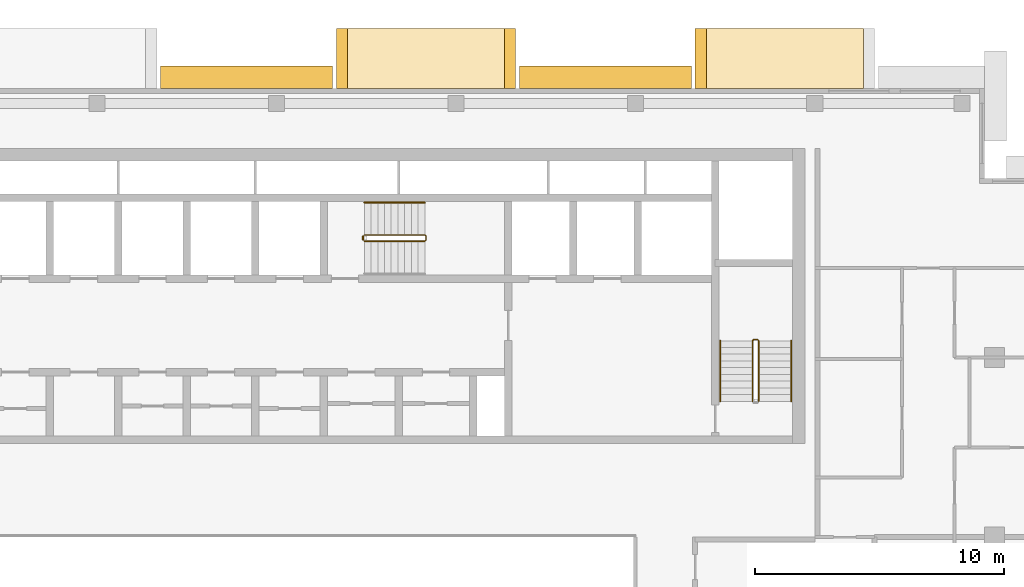
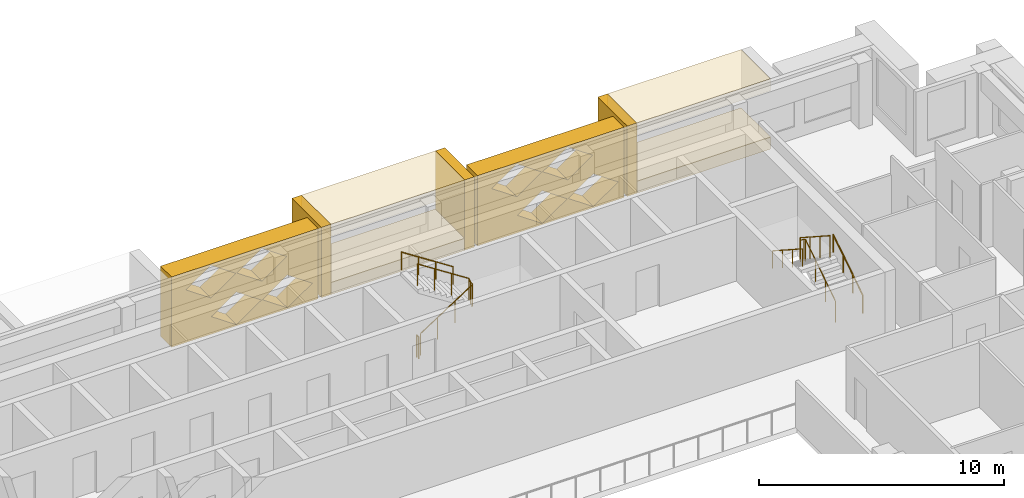
# One storey, part 18 of 19: 9 coverings, 6 railings.
"""IFC4 building model written with IfcOpenShell, lengths in metres."""

from ifc_helpers import new_model, si_unit, direction, frame, origin, origin_2d, place, context, subcontext, project, spatial, polyline, circle, outline, extrude, material, type_object, element, save


model = new_model("IFC4")

# Units and contexts
model_context = context("Model", 3, precision=1e-05, world=origin(), true_north=direction((0.0, 1.0)))
body_context = subcontext(model_context, "Body", "Model", "MODEL_VIEW")
ifc_project = project(units=[si_unit("LENGTHUNIT", "METRE"), si_unit("AREAUNIT", "SQUARE_METRE"), si_unit("VOLUMEUNIT", "CUBIC_METRE"), si_unit("PLANEANGLEUNIT", "RADIAN"), si_unit("MASSUNIT", "GRAM", prefix="KILO")], contexts=[model_context])

# Site, building, storey
site_placement = place(None, origin())
site = spatial("IfcSite", under=ifc_project, at=site_placement, CompositionType="ELEMENT")
building_placement = place(site_placement, origin())
building = spatial("IfcBuilding", under=site, at=building_placement, Name="Saffron Iwan Residences", CompositionType="ELEMENT")
storey_placement = place(building_placement, frame((0.0, 0.0, 239.5)))
storey = spatial("IfcBuildingStorey", under=building, at=storey_placement, Name="L64", CompositionType="ELEMENT", Elevation=239.5)

# Coverings
ifc_material_1 = material(Name="Precast concrete C40/50", Category="concrete")
covering_type_1 = type_object("IfcCoveringType", Name="OUTER SKIN LATTICE SCREEN", PredefinedType="CLADDING", material=ifc_material_1)
for number, where, z_axis, x_axis, name in (
    (1, (67.050048828125, 80.39990234375, -0.280029296875), (0.0, 1.0, 0.0), (-1.0, 0.0, 0.0), "OUTER SKIN lattice screen L64 F5.1"),
    (2, (52.64990234375, 80.39990234375, -0.280029296875), (0.0, 1.0, 0.0), (-1.0, 0.0, 0.0), "OUTER SKIN lattice screen L64 F5.2"),
):
    element("IfcCovering", number, at=place(storey_placement, frame(where, z_axis=z_axis, x_axis=x_axis)), inside=storey, type_object=covering_type_1, Name=name, PredefinedType="CLADDING", context=body_context, shape_type="SweptSolid", body=[
        extrude(outline(polyline([(0.0, 0.0), (6.89990234375, 0.0), (6.89990234375, 3.5), (0.0, 3.5), (0.0, 0.0)]), holes=[polyline([(0.27001953125, 0.875), (1.449951171875, 0.06005859375), (2.6298828125, 0.875), (1.449951171875, 1.68994140625), (0.27001953125, 0.875)]), polyline([(2.669921875, 0.875), (3.85009765625, 0.06005859375), (5.030029296875, 0.875), (3.85009765625, 1.68994140625), (2.669921875, 0.875)]), polyline([(1.469970703125, 2.625), (2.64990234375, 1.81005859375), (3.830078125, 2.625), (2.64990234375, 3.43994140625), (1.469970703125, 2.625)]), polyline([(3.8701171875, 2.625), (5.050048828125, 1.81005859375), (6.22998046875, 2.625), (5.050048828125, 3.43994140625), (3.8701171875, 2.625)])]), origin(), (0.0, 0.0, 1.0), 0.900146484375),
    ])

# Railings
ifc_material_2 = material(Name="Steel S355", Category="steel")
railing_type_1 = type_object("IfcRailingType", Name="Stair guard 1100", PredefinedType="GUARDRAIL", material=ifc_material_2)
railing_1_placement = place(storey_placement, frame((53.925048828125, 74.27490234375, 0.175048828125)))
element("IfcRailing", 3, at=railing_1_placement, inside=storey, type_object=railing_type_1, Name="L64 ST-C stair guard 1", PredefinedType="GUARDRAIL", context=body_context, shape_type="SweptSolid", body=[
    extrude(circle(Radius=0.02392578125, at=origin_2d()), frame((0.0, 0.0, 1.076171875), z_axis=(0.839153699163, 0.0, 0.543894354798), x_axis=(0.0, 1.0, 0.0)), (0.0, 0.0, 1.0), 2.895751953125),
    extrude(circle(Radius=0.02392578125, at=origin_2d()), frame((2.429931640625, 0.0, 2.65087890625), z_axis=(0.707106781187, 0.707106781187, 0.0), x_axis=(-0.707106781187, 0.707106781187, 0.0)), (0.0, 0.0, 1.0), 0.07080078125),
    extrude(circle(Radius=0.02392578125, at=origin_2d()), frame((2.47998046875, 0.050048828125, 2.65087890625), z_axis=(0.0, 1.0, 0.0), x_axis=(-1.0, 0.0, 0.0)), (0.0, 0.0, 1.0), 0.150146484375),
    extrude(circle(Radius=0.02392578125, at=origin_2d()), frame((2.47998046875, 0.2001953125, 2.65087890625), z_axis=(-0.265155923931, 0.263862480399, 0.927399011991), x_axis=(-0.705375805398, -0.708833529934, 0.0)), (0.0, 0.0, 1.0), 0.188720703125),
    extrude(circle(Radius=0.02392578125, at=origin_2d()), frame((2.429931640625, 0.25, 2.826171875), z_axis=(-0.839153699163, 0.0, 0.543894354798), x_axis=(0.0, -1.0, 0.0)), (0.0, 0.0, 1.0), 2.895751953125),
    extrude(circle(Radius=0.02099609375, at=origin_2d()), origin(), (0.0, 0.0, 1.0), 1.052001953125),
    extrude(circle(Radius=0.02099609375, at=origin_2d()), frame((0.81005859375, 0.0, 0.52490234375)), (0.0, 0.0, 1.0), 1.052001953125),
    extrude(circle(Radius=0.02099609375, at=origin_2d()), frame((1.619873046875, 0.0, 1.050048828125)), (0.0, 0.0, 1.0), 1.052001953125),
    extrude(circle(Radius=0.02099609375, at=origin_2d()), frame((2.429931640625, 0.0, 1.574951171875)), (0.0, 0.0, 1.0), 1.052001953125),
    extrude(circle(Radius=0.02099609375, at=origin_2d()), frame((2.47998046875, 0.050048828125, 1.574951171875)), (0.0, 0.0, 1.0), 1.052001953125),
    extrude(circle(Radius=0.02099609375, at=origin_2d()), frame((2.47998046875, 0.2001953125, 1.574951171875)), (0.0, 0.0, 1.0), 1.052001953125),
    extrude(circle(Radius=0.02099609375, at=origin_2d()), frame((2.429931640625, 0.25, 1.75)), (0.0, 0.0, 1.0), 1.052001953125),
    extrude(circle(Radius=0.02099609375, at=origin_2d()), frame((1.619873046875, 0.25, 2.27490234375)), (0.0, 0.0, 1.0), 1.052001953125),
    extrude(circle(Radius=0.02099609375, at=origin_2d()), frame((0.81005859375, 0.25, 2.800048828125)), (0.0, 0.0, 1.0), 1.052001953125),
    extrude(circle(Radius=0.02099609375, at=origin_2d()), frame((0.0, 0.25, 3.324951171875)), (0.0, 0.0, 1.0), 1.052001953125),
])
railing_2_placement = place(storey_placement, frame((53.875, 74.324951171875, 0.0)))
element("IfcRailing", 4, at=railing_2_placement, inside=storey, type_object=railing_type_1, Name="L64 ST-C stair guard 2", PredefinedType="GUARDRAIL", context=body_context, shape_type="SweptSolid", body=[
    extrude(circle(Radius=0.02392578125, at=origin_2d()), frame((0.0, 0.0, 1.076171875), z_axis=(0.0, 1.0, 0.0), x_axis=(-1.0, 0.0, 0.0)), (0.0, 0.0, 1.0), 0.150146484375),
    extrude(circle(Radius=0.02099609375, at=origin_2d()), origin(), (0.0, 0.0, 1.0), 1.052001953125),
    extrude(circle(Radius=0.02099609375, at=origin_2d()), frame((0.0, 0.150146484375, 0.0)), (0.0, 0.0, 1.0), 1.052001953125),
])
railing_3_placement = place(storey_placement, frame((69.75, 67.85009765625, 0.175048828125)))
element("IfcRailing", 5, at=railing_3_placement, inside=storey, type_object=railing_type_1, Name="L64 ST-E stair guard 1", PredefinedType="GUARDRAIL", context=body_context, shape_type="SweptSolid", body=[
    extrude(circle(Radius=0.02392578125, at=origin_2d()), frame((0.0, 0.0, 1.076171875), z_axis=(0.0, 0.839153699163, 0.543894354798), x_axis=(-1.0, 0.0, 0.0)), (0.0, 0.0, 1.0), 2.895751953125),
    extrude(circle(Radius=0.02392578125, at=origin_2d()), frame((0.0, 2.429931640625, 2.65087890625), z_axis=(-0.707106781187, 0.707106781187, 0.0), x_axis=(-0.707106781187, -0.707106781187, 0.0)), (0.0, 0.0, 1.0), 0.07080078125),
    extrude(circle(Radius=0.02392578125, at=origin_2d()), frame((-0.050048828125, 2.47998046875, 2.65087890625), z_axis=(-1.0, 0.0, 0.0), x_axis=(0.0, -1.0, 0.0)), (0.0, 0.0, 1.0), 0.14990234375),
    extrude(circle(Radius=0.02392578125, at=origin_2d()), frame((-0.199951171875, 2.47998046875, 2.65087890625), z_axis=(-0.265065253269, -0.265065253269, 0.927081885822), x_axis=(0.707106781187, -0.707106781187, 0.0)), (0.0, 0.0, 1.0), 0.188720703125),
    extrude(circle(Radius=0.02392578125, at=origin_2d()), frame((-0.25, 2.429931640625, 2.826171875), z_axis=(0.0, -0.839153699163, 0.543894354798), x_axis=(1.0, 0.0, 0.0)), (0.0, 0.0, 1.0), 2.895751953125),
    extrude(circle(Radius=0.02099609375, at=origin_2d()), origin(), (0.0, 0.0, 1.0), 1.052001953125),
    extrude(circle(Radius=0.02099609375, at=origin_2d()), frame((0.0, 0.81005859375, 0.52490234375)), (0.0, 0.0, 1.0), 1.052001953125),
    extrude(circle(Radius=0.02099609375, at=origin_2d()), frame((0.0, 1.619873046875, 1.050048828125)), (0.0, 0.0, 1.0), 1.052001953125),
    extrude(circle(Radius=0.02099609375, at=origin_2d()), frame((0.0, 2.429931640625, 1.574951171875)), (0.0, 0.0, 1.0), 1.052001953125),
    extrude(circle(Radius=0.02099609375, at=origin_2d()), frame((-0.050048828125, 2.47998046875, 1.574951171875)), (0.0, 0.0, 1.0), 1.052001953125),
    extrude(circle(Radius=0.02099609375, at=origin_2d()), frame((-0.199951171875, 2.47998046875, 1.574951171875)), (0.0, 0.0, 1.0), 1.052001953125),
    extrude(circle(Radius=0.02099609375, at=origin_2d()), frame((-0.25, 2.429931640625, 1.75)), (0.0, 0.0, 1.0), 1.052001953125),
    extrude(circle(Radius=0.02099609375, at=origin_2d()), frame((-0.25, 1.619873046875, 2.27490234375)), (0.0, 0.0, 1.0), 1.052001953125),
    extrude(circle(Radius=0.02099609375, at=origin_2d()), frame((-0.25, 0.81005859375, 2.800048828125)), (0.0, 0.0, 1.0), 1.052001953125),
    extrude(circle(Radius=0.02099609375, at=origin_2d()), frame((-0.25, 0.0, 3.324951171875)), (0.0, 0.0, 1.0), 1.052001953125),
])
ifc_material_3 = material(Name="Stainless steel 316", Category="steel")
railing_type_2 = type_object("IfcRailingType", Name="Stair handrail 900", PredefinedType="HANDRAIL", material=ifc_material_3)
railing_4_placement = place(storey_placement, frame((56.35498046875, 75.824951171875, 1.925048828125)))
element("IfcRailing", 6, at=railing_4_placement, inside=storey, type_object=railing_type_2, Name="L64 ST-C stair handrail 2", PredefinedType="HANDRAIL", context=body_context, shape_type="SweptSolid", body=[
    extrude(circle(Radius=0.02392578125, at=origin_2d()), frame((0.0, 0.0, 0.8759765625), z_axis=(-0.839153699163, 0.0, 0.543894354798), x_axis=(0.0, -1.0, 0.0)), (0.0, 0.0, 1.0), 2.895751953125),
    extrude(circle(Radius=0.02099609375, at=origin_2d()), origin(), (0.0, 0.0, 1.0), 0.851806640625),
    extrude(circle(Radius=0.02099609375, at=origin_2d()), frame((-0.81005859375, 0.0, 0.52490234375)), (0.0, 0.0, 1.0), 0.851806640625),
    extrude(circle(Radius=0.02099609375, at=origin_2d()), frame((-1.619873046875, 0.0, 1.050048828125)), (0.0, 0.0, 1.0), 0.851806640625),
    extrude(circle(Radius=0.02099609375, at=origin_2d()), frame((-2.429931640625, 0.0, 1.574951171875)), (0.0, 0.0, 1.0), 0.851806640625),
])
railing_5_placement = place(storey_placement, frame((71.050048828125, 67.85009765625, 0.175048828125)))
element("IfcRailing", 7, at=railing_5_placement, inside=storey, type_object=railing_type_2, Name="L64 ST-E stair handrail 1", PredefinedType="HANDRAIL", context=body_context, shape_type="SweptSolid", body=[
    extrude(circle(Radius=0.02392578125, at=origin_2d()), frame((0.0, 0.0, 0.8759765625), z_axis=(0.0, 0.839153699163, 0.543894354798), x_axis=(-1.0, 0.0, 0.0)), (0.0, 0.0, 1.0), 2.895751953125),
    extrude(circle(Radius=0.02099609375, at=origin_2d()), origin(), (0.0, 0.0, 1.0), 0.851806640625),
    extrude(circle(Radius=0.02099609375, at=origin_2d()), frame((0.0, 0.81005859375, 0.52490234375)), (0.0, 0.0, 1.0), 0.851806640625),
    extrude(circle(Radius=0.02099609375, at=origin_2d()), frame((0.0, 1.619873046875, 1.050048828125)), (0.0, 0.0, 1.0), 0.851806640625),
    extrude(circle(Radius=0.02099609375, at=origin_2d()), frame((0.0, 2.429931640625, 1.574951171875)), (0.0, 0.0, 1.0), 0.851806640625),
])
railing_6_placement = place(storey_placement, frame((68.199951171875, 70.280029296875, 1.925048828125)))
element("IfcRailing", 8, at=railing_6_placement, inside=storey, type_object=railing_type_2, Name="L64 ST-E stair handrail 2", PredefinedType="HANDRAIL", context=body_context, shape_type="SweptSolid", body=[
    extrude(circle(Radius=0.02392578125, at=origin_2d()), frame((0.0, 0.0, 0.8759765625), z_axis=(0.0, -0.839153699163, 0.543894354798), x_axis=(1.0, 0.0, 0.0)), (0.0, 0.0, 1.0), 2.895751953125),
    extrude(circle(Radius=0.02099609375, at=origin_2d()), origin(), (0.0, 0.0, 1.0), 0.851806640625),
    extrude(circle(Radius=0.02099609375, at=origin_2d()), frame((0.0, -0.81005859375, 0.52490234375)), (0.0, 0.0, 1.0), 0.851806640625),
    extrude(circle(Radius=0.02099609375, at=origin_2d()), frame((0.0, -1.619873046875, 1.050048828125)), (0.0, 0.0, 1.0), 0.851806640625),
    extrude(circle(Radius=0.02099609375, at=origin_2d()), frame((0.0, -2.429931640625, 1.574951171875)), (0.0, 0.0, 1.0), 0.851806640625),
])

# Coverings
ifc_material_4 = material(Name="Precast concrete C40/50 white painted", Category="concrete")
covering_type_2 = type_object("IfcCoveringType", Name="WHITE SUN FRAME PRECAST", PredefinedType="CLADDING", material=ifc_material_4)
covering_placement = place(storey_placement, frame((67.64990234375, 80.39990234375, -0.280029296875), z_axis=(0.0, 1.0, 0.0), x_axis=(-1.0, 0.0, 0.0)))
element("IfcCovering", 9, at=covering_placement, inside=storey, type_object=covering_type_2, Name="Sun frame L64 F5 4.4b", PredefinedType="CLADDING", context=body_context, shape_type="SweptSolid", body=[
    extrude(outline(polyline([(0.0, 0.0), (0.449951171875, 0.0), (0.449951171875, 3.5), (0.0, 3.5), (0.0, 0.0)])), origin(), (0.0, 0.0, 1.0), 2.400146484375),
])
for number, where, z_axis, x_axis, name in (
    (10, (73.949951171875, 80.39990234375, 2.6201171875), (0.0, 1.0, 0.0), (-1.0, 0.0, 0.0), "Sun frame L64 F5 4.4h"),
    (11, (73.949951171875, 80.39990234375, -0.280029296875), (0.0, 1.0, 0.0), (-1.0, 0.0, 0.0), "Sun frame L64 F5 4.4s"),
):
    element("IfcCovering", number, at=place(storey_placement, frame(where, z_axis=z_axis, x_axis=x_axis)), inside=storey, type_object=covering_type_2, Name=name, PredefinedType="CLADDING", context=body_context, shape_type="SweptSolid", body=[
        extrude(outline(polyline([(0.0, 0.0), (6.300048828125, 0.0), (6.300048828125, 0.60009765625), (0.0, 0.60009765625), (0.0, 0.0)])), origin(), (0.0, 0.0, 1.0), 2.400146484375),
    ])
for number, where, z_axis, x_axis, name in (
    (12, (60.0, 80.39990234375, -0.280029296875), (0.0, 1.0, 0.0), (-1.0, 0.0, 0.0), "Sun frame L64 F5 18.8a"),
    (13, (53.25, 80.39990234375, -0.280029296875), (0.0, 1.0, 0.0), (-1.0, 0.0, 0.0), "Sun frame L64 F5 18.8b"),
):
    element("IfcCovering", number, at=place(storey_placement, frame(where, z_axis=z_axis, x_axis=x_axis)), inside=storey, type_object=covering_type_2, Name=name, PredefinedType="CLADDING", context=body_context, shape_type="SweptSolid", body=[
        extrude(outline(polyline([(0.0, 0.0), (0.449951171875, 0.0), (0.449951171875, 3.5), (0.0, 3.5), (0.0, 0.0)])), origin(), (0.0, 0.0, 1.0), 2.400146484375),
    ])
for number, where, z_axis, x_axis, name in (
    (14, (59.550048828125, 80.39990234375, 2.6201171875), (0.0, 1.0, 0.0), (-1.0, 0.0, 0.0), "Sun frame L64 F5 18.8h"),
    (15, (59.550048828125, 80.39990234375, -0.280029296875), (0.0, 1.0, 0.0), (-1.0, 0.0, 0.0), "Sun frame L64 F5 18.8s"),
):
    element("IfcCovering", number, at=place(storey_placement, frame(where, z_axis=z_axis, x_axis=x_axis)), inside=storey, type_object=covering_type_2, Name=name, PredefinedType="CLADDING", context=body_context, shape_type="SweptSolid", body=[
        extrude(outline(polyline([(0.0, 0.0), (6.300048828125, 0.0), (6.300048828125, 0.60009765625), (0.0, 0.60009765625), (0.0, 0.0)])), origin(), (0.0, 0.0, 1.0), 2.400146484375),
    ])

save(model, "model.ifc")
